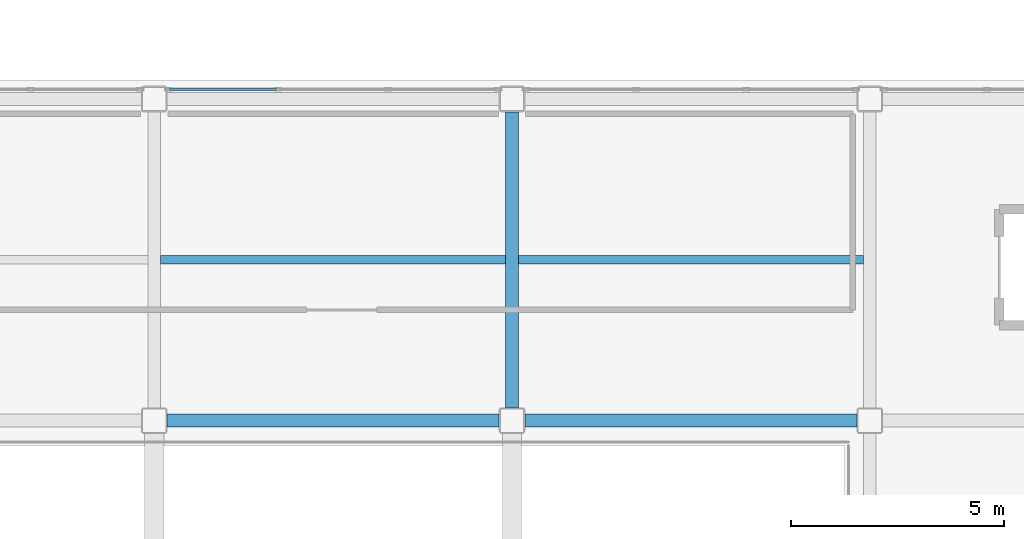
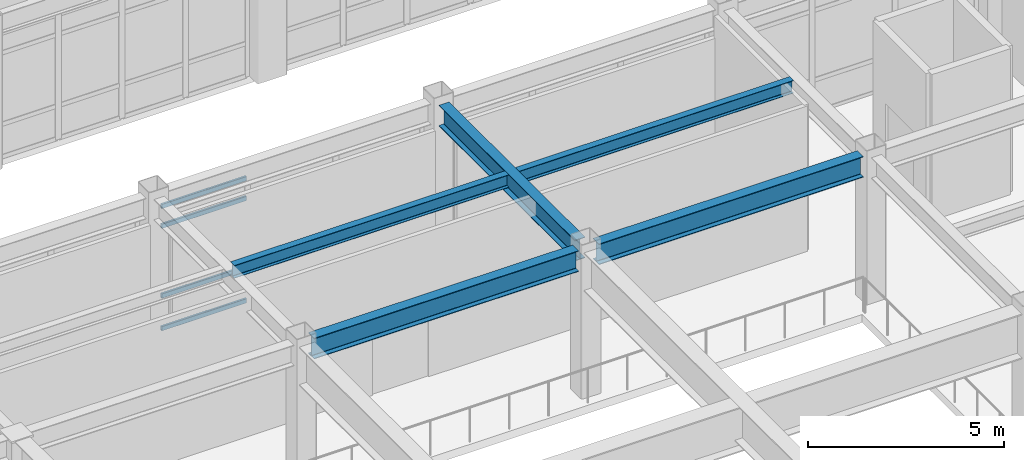
# One storey, part 30 of 172: 5 beams, 4 members, 1 element without a shape of its own.
"""IFC4 building model written with IfcOpenShell, lengths in metres."""

from ifc_helpers import new_model, si_unit, direction, frame, origin, origin_2d, place, context, subcontext, project, spatial, hollow_rectangle, i_section, extrude, material, layer, layer_set, material_profile, profile_set, type_object, element, aggregate, save


model = new_model("IFC4")

# Units and contexts
model_context = context("Model", 3, precision=1e-05, world=origin(), true_north=direction((0.0, 1.0)))
body_context = subcontext(model_context, "Body", "Model", "MODEL_VIEW")
ifc_project = project(units=[si_unit("LENGTHUNIT", "METRE"), si_unit("AREAUNIT", "SQUARE_METRE"), si_unit("VOLUMEUNIT", "CUBIC_METRE"), si_unit("PLANEANGLEUNIT", "RADIAN"), si_unit("MASSUNIT", "GRAM", prefix="KILO")], contexts=[model_context])

# Site, building, storey
site_placement = place(None, origin())
site = spatial("IfcSite", under=ifc_project, at=site_placement, CompositionType="ELEMENT")
building_placement = place(site_placement, origin())
building = spatial("IfcBuilding", under=site, at=building_placement, Name="Kazehara Bluff Congress Hotel", CompositionType="ELEMENT")
storey_placement = place(building_placement, frame((0.0, 0.0, 5.39990234375)))
storey = spatial("IfcBuildingStorey", under=building, at=storey_placement, Name="L01", CompositionType="ELEMENT", Elevation=5.39990234375)

# Curtain wall, members
ifc_material_1 = material(Name="Anodised aluminium", Category="aluminium")
ifc_layer = layer(ifc_material_1, 0.159912109375)
ifc_layer_set = layer_set([ifc_layer], Name="Anodised aluminium")
curtain_wall_type = type_object("IfcCurtainWallType", Name="TP-CW-29", PredefinedType="NOTDEFINED", material=ifc_layer_set)
curtain_wall_placement = place(storey_placement, origin())
curtain_wall = element("IfcCurtainWall", 1, at=curtain_wall_placement, inside=storey, type_object=curtain_wall_type, Name="L01 curtain wall CW-29 CW-ENC-V2-L01-3780-3978", PredefinedType="NOTDEFINED")
ifc_material_2 = material(Name="Anodised aluminium", Category="aluminium")
ifc_material_profile_1 = material_profile(ifc_material_2, hollow_rectangle(XDim=0.06494140625, YDim=0.139892578125, WallThickness=0.00390625, InnerFilletRadius=0.00390625, OuterFilletRadius=0.008056640625, at=origin_2d()))
ifc_profile_set_1 = profile_set([ifc_material_profile_1], Name="Anodised aluminium")
member_type = type_object("IfcMemberType", Name="TP-CWT-02", PredefinedType="USERDEFINED", material=ifc_profile_set_1)
member_1_placement = place(storey_placement, frame((33.965087890625, 39.780029296875, 0.03271484375), z_axis=(1.0, 0.0, 0.0), x_axis=(0.0, 1.0, 0.0)))
member_1 = element("IfcMember", 2, at=member_1_placement, type_object=member_type, Name="CW-29 transom 1.1", ObjectType="TRANSOM", PredefinedType="USERDEFINED", context=body_context, shape_type="SweptSolid", body=[
    extrude(hollow_rectangle(XDim=0.06494140625, YDim=0.139892578125, WallThickness=0.00390625, InnerFilletRadius=0.00390625, OuterFilletRadius=0.008056640625, at=origin_2d()), origin(), (0.0, 0.0, 1.0), 2.50244140625),
])
member_2_placement = place(storey_placement, frame((33.965087890625, 39.780029296875, 1.050048828125), z_axis=(1.0, 0.0, 0.0), x_axis=(0.0, 1.0, 0.0)))
member_2 = element("IfcMember", 3, at=member_2_placement, type_object=member_type, Name="CW-29 transom 1.2", ObjectType="TRANSOM", PredefinedType="USERDEFINED", context=body_context, shape_type="SweptSolid", body=[
    extrude(hollow_rectangle(XDim=0.06494140625, YDim=0.139892578125, WallThickness=0.00390625, InnerFilletRadius=0.00390625, OuterFilletRadius=0.008056640625, at=origin_2d()), origin(), (0.0, 0.0, 1.0), 2.50244140625),
])
member_3_placement = place(storey_placement, frame((33.965087890625, 39.780029296875, 3.22509765625), z_axis=(1.0, 0.0, 0.0), x_axis=(0.0, 1.0, 0.0)))
member_3 = element("IfcMember", 4, at=member_3_placement, type_object=member_type, Name="CW-29 transom 1.3", ObjectType="TRANSOM", PredefinedType="USERDEFINED", context=body_context, shape_type="SweptSolid", body=[
    extrude(hollow_rectangle(XDim=0.06494140625, YDim=0.139892578125, WallThickness=0.00390625, InnerFilletRadius=0.00390625, OuterFilletRadius=0.008056640625, at=origin_2d()), origin(), (0.0, 0.0, 1.0), 2.50244140625),
])
member_4_placement = place(storey_placement, frame((33.965087890625, 39.780029296875, 3.842529296875), z_axis=(1.0, 0.0, 0.0), x_axis=(0.0, 1.0, 0.0)))
member_4 = element("IfcMember", 5, at=member_4_placement, type_object=member_type, Name="CW-29 transom 1.4", ObjectType="TRANSOM", PredefinedType="USERDEFINED", context=body_context, shape_type="SweptSolid", body=[
    extrude(hollow_rectangle(XDim=0.06494140625, YDim=0.139892578125, WallThickness=0.00390625, InnerFilletRadius=0.00390625, OuterFilletRadius=0.008056640625, at=origin_2d()), origin(), (0.0, 0.0, 1.0), 2.50244140625),
])
aggregate(curtain_wall, [member_1, member_2, member_3, member_4])

# Beams
ifc_material_3 = material(Name="Steel SN490B", Category="steel")
ifc_material_profile_2 = material_profile(ifc_material_3, i_section(OverallWidth=0.300048828125, OverallDepth=0.64990234375, WebThickness=0.011962890625, FlangeThickness=0.02001953125, FilletRadius=0.012939453125, at=origin_2d()))
ifc_profile_set_2 = profile_set([ifc_material_profile_2], Name="Steel SN490B")
beam_type_1 = type_object("IfcBeamType", Name="TP-G-03", PredefinedType="BEAM", material=ifc_profile_set_2)
beam_placement = place(storey_placement, frame((42.0, 32.300048828125, 4.22509765625), z_axis=(0.0, 1.0, 0.0), x_axis=(-1.0, 0.0, 0.0)))
element("IfcBeam", 6, at=beam_placement, inside=storey, type_object=beam_type_1, Name="L01 girder G-03 60", PredefinedType="BEAM", context=body_context, shape_type="SweptSolid", body=[
    extrude(i_section(OverallWidth=0.300048828125, OverallDepth=0.64990234375, WebThickness=0.011962890625, FlangeThickness=0.02001953125, FilletRadius=0.012939453125, at=origin_2d()), origin(), (0.0, 0.0, 1.0), 6.949951171875),
])
for number, where, z_axis, x_axis, name in (
    (7, (33.89990234375, 32.0, 4.22509765625), (1.0, 0.0, 0.0), (0.0, 1.0, 0.0), "L01 girder G-03 92"),
    (8, (42.300048828125, 32.0, 4.22509765625), (1.0, 0.0, 0.0), (0.0, 1.0, 0.0), "L01 girder G-03 93"),
):
    element("IfcBeam", number, at=place(storey_placement, frame(where, z_axis=z_axis, x_axis=x_axis)), inside=storey, type_object=beam_type_1, Name=name, PredefinedType="BEAM", context=body_context, shape_type="SweptSolid", body=[
        extrude(i_section(OverallWidth=0.300048828125, OverallDepth=0.64990234375, WebThickness=0.011962890625, FlangeThickness=0.02001953125, FilletRadius=0.012939453125, at=origin_2d()), origin(), (0.0, 0.0, 1.0), 7.800048828125),
    ])
ifc_material_4 = material(Name="Steel SN400B", Category="steel")
ifc_material_profile_3 = material_profile(ifc_material_4, i_section(OverallWidth=0.199951171875, OverallDepth=0.39990234375, WebThickness=0.008056640625, FlangeThickness=0.012939453125, FilletRadius=0.012939453125, at=origin_2d()))
ifc_profile_set_3 = profile_set([ifc_material_profile_3], Name="Steel SN400B")
beam_type_2 = type_object("IfcBeamType", Name="TP-J-03", PredefinedType="JOIST", material=ifc_profile_set_3)
for number, where, z_axis, x_axis, name in (
    (9, (33.75, 35.77490234375, 4.35009765625), (1.0, 0.0, 0.0), (0.0, 1.0, 0.0), "L01 secondary joist J-03 9"),
    (10, (42.14990234375, 35.77490234375, 4.35009765625), (1.0, 0.0, 0.0), (0.0, 1.0, 0.0), "L01 secondary joist J-03 10"),
):
    element("IfcBeam", number, at=place(storey_placement, frame(where, z_axis=z_axis, x_axis=x_axis)), inside=storey, type_object=beam_type_2, Name=name, PredefinedType="JOIST", context=body_context, shape_type="SweptSolid", body=[
        extrude(i_section(OverallWidth=0.199951171875, OverallDepth=0.39990234375, WebThickness=0.008056640625, FlangeThickness=0.012939453125, FilletRadius=0.012939453125, at=origin_2d()), origin(), (0.0, 0.0, 1.0), 8.10009765625),
    ])

save(model, "model.ifc")
